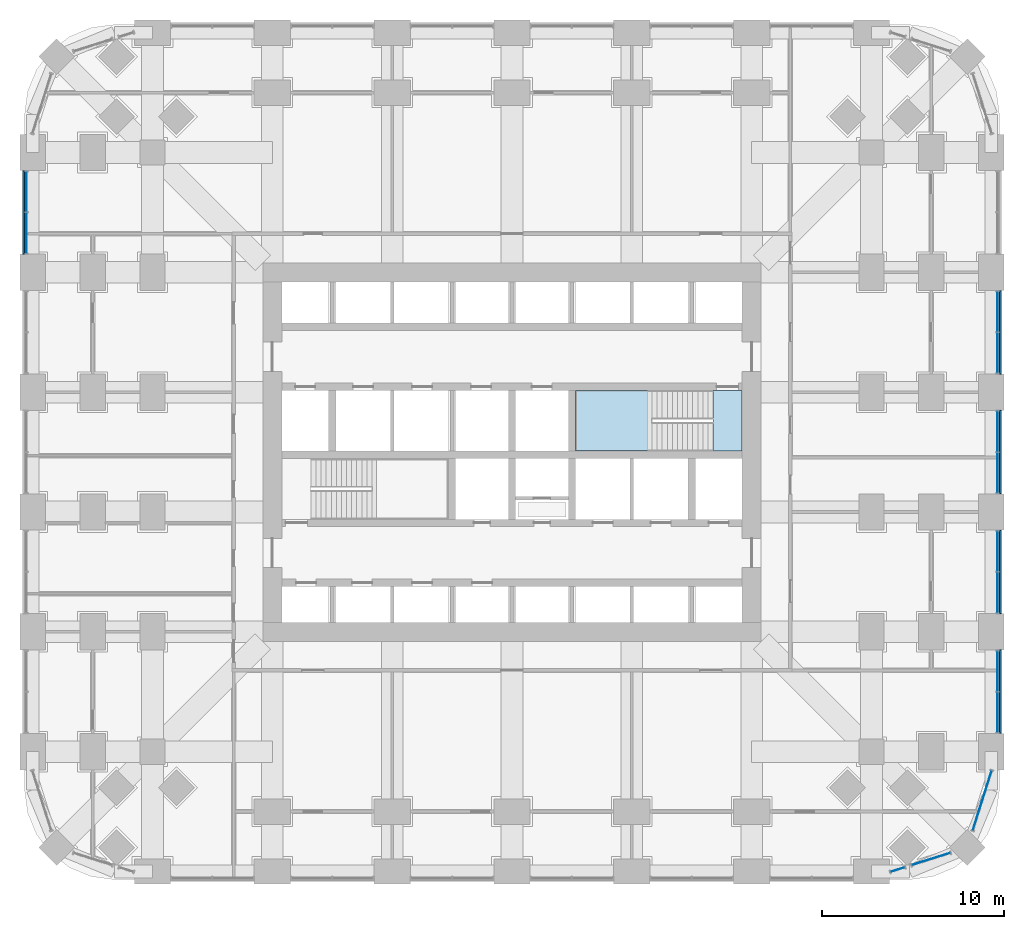
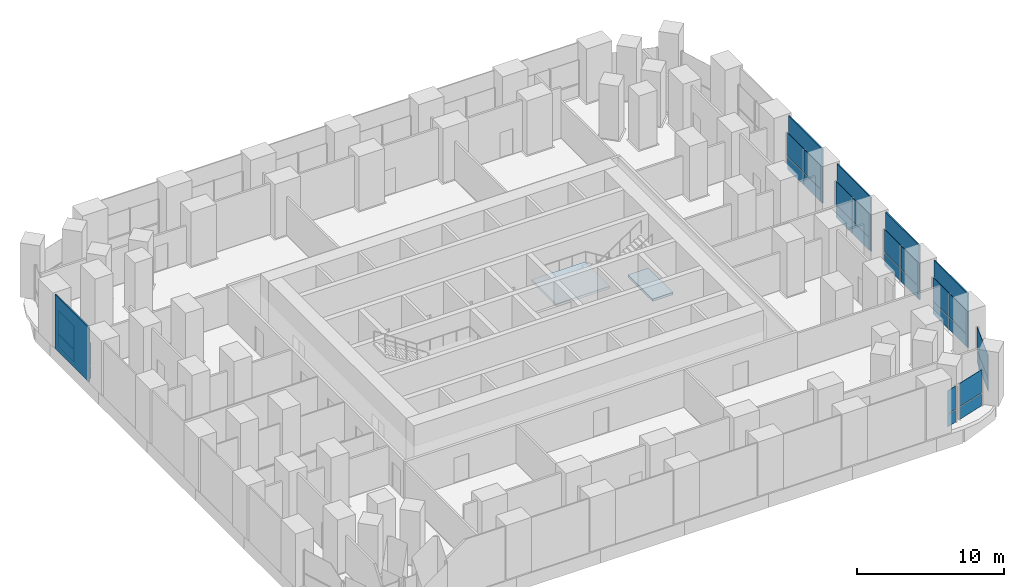
# One storey, part 9 of 17: 31 plates, 2 slabs, 9 elements without a shape of their own.
"""IFC4 building model written with IfcOpenShell, lengths in metres."""

from ifc_helpers import new_model, si_unit, direction, frame, origin, origin_2d, place, context, subcontext, project, spatial, polyline, rectangle, outline, extrude, material, layer, layer_set, type_object, element, aggregate, save


model = new_model("IFC4")

# Units and contexts
model_context = context("Model", 3, precision=1e-05, world=origin(), true_north=direction((0.0, 1.0)))
body_context = subcontext(model_context, "Body", "Model", "MODEL_VIEW")
ifc_project = project(units=[si_unit("LENGTHUNIT", "METRE"), si_unit("AREAUNIT", "SQUARE_METRE"), si_unit("VOLUMEUNIT", "CUBIC_METRE"), si_unit("PLANEANGLEUNIT", "RADIAN"), si_unit("MASSUNIT", "GRAM", prefix="KILO")], contexts=[model_context])

# Site, building, storey
site_placement = place(None, origin())
site = spatial("IfcSite", under=ifc_project, at=site_placement, CompositionType="ELEMENT")
building_placement = place(site_placement, origin())
building = spatial("IfcBuilding", under=site, at=building_placement, Name="Cobogo Forest Laboratory Tower", CompositionType="ELEMENT")
storey_placement = place(building_placement, frame((0.0, 0.0, 12.60009765625)))
storey = spatial("IfcBuildingStorey", under=building, at=storey_placement, Name="L02", CompositionType="ELEMENT", Elevation=12.60009765625)

# Plates
ifc_material_1 = material(Name="Pierced concrete block", Category="concrete")
ifc_layer_1 = layer(ifc_material_1, 0.10009765625)
ifc_layer_set_1 = layer_set([ifc_layer_1], Name="CO1 cobogo block screen 100")
plate_type_1 = type_object("IfcPlateType", Name="CO1 cobogo block screen 100", PredefinedType="USERDEFINED", material=ifc_layer_set_1)
for number, where, z_axis, x_axis, name in (
    (1, (53.300048828125, 9.89990234375, -0.150146484375), (0.0, 0.0, 1.0), (0.0, 1.0, 0.0), "Cobogo screen E1 L02"),
    (2, (53.300048828125, 16.5, -0.150146484375), (0.0, 0.0, 1.0), (0.0, 1.0, 0.0), "Cobogo screen E2 L02"),
    (3, (53.300048828125, 23.10009765625, -0.150146484375), (0.0, 0.0, 1.0), (0.0, 1.0, 0.0), "Cobogo screen E3 L02"),
    (4, (53.300048828125, 29.699951171875, -0.150146484375), (0.0, 0.0, 1.0), (0.0, 1.0, 0.0), "Cobogo screen E4 L02"),
    (5, (-0.5, 36.300048828125, -0.150146484375), (0.0, 0.0, 1.0), (0.0, 1.0, 0.0), "Cobogo screen W5 L02"),
):
    element("IfcPlate", number, at=place(storey_placement, frame(where, z_axis=z_axis, x_axis=x_axis)), inside=storey, type_object=plate_type_1, Name=name, ObjectType="COBOGO SCREEN", PredefinedType="USERDEFINED", context=body_context, shape_type="SweptSolid", body=[
        extrude(rectangle(XDim=4.60009765625, YDim=0.10009765625, at=origin_2d()), origin(), (0.0, 0.0, 1.0), 4.5),
    ])

# Curtain wall, plates
ifc_material_2 = material(Name="Aluminium curtain wall", Category="aluminium")
curtain_wall_type = type_object("IfcCurtainWallType", Name="CW-K stick curtain wall, podium laboratories", PredefinedType="USERDEFINED", material=ifc_material_2)
curtain_wall_1_placement = place(storey_placement, origin())
curtain_wall_1 = element("IfcCurtainWall", 6, at=curtain_wall_1_placement, inside=storey, type_object=curtain_wall_type, Name="Curtain wall 07 L02", ObjectType="STICK CURTAIN WALL", PredefinedType="USERDEFINED")
ifc_material_3 = material(Name="Clear insulated glass", Category="glass")
ifc_layer_2 = layer(ifc_material_3, 0.028076171875)
ifc_layer_set_2 = layer_set([ifc_layer_2], Name="GP-1 clear insulated glass unit 28")
plate_type_2 = type_object("IfcPlateType", Name="GP-1 clear insulated glass unit 28", PredefinedType="CURTAIN_PANEL", material=ifc_layer_set_2)
plate_1_placement = place(storey_placement, frame((47.640869140625, 0.10498046875, 0.0), z_axis=(0.0, 0.0, 1.0), x_axis=(0.953581406818, 0.301135352577, 0.0)))
plate_1 = element("IfcPlate", 7, at=plate_1_placement, type_object=plate_type_2, Name="CW-K panel 1.1", PredefinedType="CURTAIN_PANEL", context=body_context, shape_type="SweptSolid", body=[
    extrude(rectangle(XDim=0.804931640625, YDim=0.028076171875, at=origin_2d()), origin(), (0.0, 0.0, 1.0), 1.02001953125),
])
plate_2_placement = place(storey_placement, frame((47.640869140625, 0.10498046875, 1.079833984375), z_axis=(0.0, 0.0, 1.0), x_axis=(0.953581406818, 0.301135352577, 0.0)))
plate_2 = element("IfcPlate", 8, at=plate_2_placement, type_object=plate_type_2, Name="CW-K panel 1.2", PredefinedType="CURTAIN_PANEL", context=body_context, shape_type="SweptSolid", body=[
    extrude(rectangle(XDim=0.804931640625, YDim=0.028076171875, at=origin_2d()), origin(), (0.0, 0.0, 1.0), 1.919921875),
])
aggregate(curtain_wall_1, [plate_1, plate_2])

curtain_wall_2_placement = place(storey_placement, origin())
curtain_wall_2 = element("IfcCurtainWall", 9, at=curtain_wall_2_placement, inside=storey, type_object=curtain_wall_type, Name="Curtain wall 08 L02", ObjectType="STICK CURTAIN WALL", PredefinedType="USERDEFINED")
plate_3_placement = place(storey_placement, frame((49.482177734375, 0.6865234375, 0.0), z_axis=(0.0, 0.0, 1.0), x_axis=(0.953581409645, 0.301135343623, 0.0)))
plate_3 = element("IfcPlate", 10, at=plate_3_placement, type_object=plate_type_2, Name="CW-K panel 1.1", PredefinedType="CURTAIN_PANEL", context=body_context, shape_type="SweptSolid", body=[
    extrude(rectangle(XDim=2.203369140625, YDim=0.028076171875, at=origin_2d()), origin(), (0.0, 0.0, 1.0), 1.02001953125),
])
plate_4_placement = place(storey_placement, frame((49.482177734375, 0.6865234375, 1.079833984375), z_axis=(0.0, 0.0, 1.0), x_axis=(0.953581409645, 0.301135343623, 0.0)))
plate_4 = element("IfcPlate", 11, at=plate_4_placement, type_object=plate_type_2, Name="CW-K panel 1.2", PredefinedType="CURTAIN_PANEL", context=body_context, shape_type="SweptSolid", body=[
    extrude(rectangle(XDim=2.203369140625, YDim=0.028076171875, at=origin_2d()), origin(), (0.0, 0.0, 1.0), 1.919921875),
])
aggregate(curtain_wall_2, [plate_3, plate_4])

curtain_wall_3_placement = place(storey_placement, origin())
curtain_wall_3 = element("IfcCurtainWall", 12, at=curtain_wall_3_placement, inside=storey, type_object=curtain_wall_type, Name="Curtain wall 09 L02", ObjectType="STICK CURTAIN WALL", PredefinedType="USERDEFINED")
plate_5_placement = place(storey_placement, frame((52.299072265625, 3.905029296875, 0.0), z_axis=(0.0, 0.0, 1.0), x_axis=(0.301135433696, 0.953581381201, 0.0)))
plate_5 = element("IfcPlate", 13, at=plate_5_placement, type_object=plate_type_2, Name="CW-K panel 1.1", PredefinedType="CURTAIN_PANEL", context=body_context, shape_type="SweptSolid", body=[
    extrude(rectangle(XDim=3.434814453125, YDim=0.028076171875, at=origin_2d()), origin(), (0.0, 0.0, 1.0), 1.02001953125),
])
plate_6_placement = place(storey_placement, frame((52.299072265625, 3.905029296875, 1.079833984375), z_axis=(0.0, 0.0, 1.0), x_axis=(0.301135433696, 0.953581381201, 0.0)))
plate_6 = element("IfcPlate", 14, at=plate_6_placement, type_object=plate_type_2, Name="CW-K panel 1.2", PredefinedType="CURTAIN_PANEL", context=body_context, shape_type="SweptSolid", body=[
    extrude(rectangle(XDim=3.434814453125, YDim=0.028076171875, at=origin_2d()), origin(), (0.0, 0.0, 1.0), 1.919921875),
])
aggregate(curtain_wall_3, [plate_5, plate_6])

curtain_wall_4_placement = place(storey_placement, origin())
curtain_wall_4 = element("IfcCurtainWall", 15, at=curtain_wall_4_placement, inside=storey, type_object=curtain_wall_type, Name="Curtain wall 10 L02", ObjectType="STICK CURTAIN WALL", PredefinedType="USERDEFINED")
plate_7_placement = place(storey_placement, frame((53.14990234375, 8.764892578125, 0.0), z_axis=(0.0, 0.0, 1.0), x_axis=(0.0, 1.0, 0.0)))
plate_7 = element("IfcPlate", 16, at=plate_7_placement, type_object=plate_type_2, Name="CW-K panel 1.1", PredefinedType="CURTAIN_PANEL", context=body_context, shape_type="SweptSolid", body=[
    extrude(rectangle(XDim=2.2099609375, YDim=0.028076171875, at=origin_2d()), origin(), (0.0, 0.0, 1.0), 1.02001953125),
])
plate_8_placement = place(storey_placement, frame((53.14990234375, 8.764892578125, 1.079833984375), z_axis=(0.0, 0.0, 1.0), x_axis=(0.0, 1.0, 0.0)))
plate_8 = element("IfcPlate", 17, at=plate_8_placement, type_object=plate_type_2, Name="CW-K panel 1.2", PredefinedType="CURTAIN_PANEL", context=body_context, shape_type="SweptSolid", body=[
    extrude(rectangle(XDim=2.2099609375, YDim=0.028076171875, at=origin_2d()), origin(), (0.0, 0.0, 1.0), 1.919921875),
])
plate_9_placement = place(storey_placement, frame((53.14990234375, 11.034912109375, 0.0), z_axis=(0.0, 0.0, 1.0), x_axis=(0.0, 1.0, 0.0)))
plate_9 = element("IfcPlate", 18, at=plate_9_placement, type_object=plate_type_2, Name="CW-K panel 2.1", PredefinedType="CURTAIN_PANEL", context=body_context, shape_type="SweptSolid", body=[
    extrude(rectangle(XDim=2.2099609375, YDim=0.028076171875, at=origin_2d()), origin(), (0.0, 0.0, 1.0), 1.02001953125),
])
plate_10_placement = place(storey_placement, frame((53.14990234375, 11.034912109375, 1.079833984375), z_axis=(0.0, 0.0, 1.0), x_axis=(0.0, 1.0, 0.0)))
plate_10 = element("IfcPlate", 19, at=plate_10_placement, type_object=plate_type_2, Name="CW-K panel 2.2", PredefinedType="CURTAIN_PANEL", context=body_context, shape_type="SweptSolid", body=[
    extrude(rectangle(XDim=2.2099609375, YDim=0.028076171875, at=origin_2d()), origin(), (0.0, 0.0, 1.0), 1.919921875),
])
aggregate(curtain_wall_4, [plate_7, plate_8, plate_9, plate_10])

curtain_wall_5_placement = place(storey_placement, origin())
curtain_wall_5 = element("IfcCurtainWall", 20, at=curtain_wall_5_placement, inside=storey, type_object=curtain_wall_type, Name="Curtain wall 11 L02", ObjectType="STICK CURTAIN WALL", PredefinedType="USERDEFINED")
plate_11_placement = place(storey_placement, frame((53.14990234375, 15.364990234375, 0.0), z_axis=(0.0, 0.0, 1.0), x_axis=(0.0, 1.0, 0.0)))
plate_11 = element("IfcPlate", 21, at=plate_11_placement, type_object=plate_type_2, Name="CW-K panel 1.1", PredefinedType="CURTAIN_PANEL", context=body_context, shape_type="SweptSolid", body=[
    extrude(rectangle(XDim=2.2099609375, YDim=0.028076171875, at=origin_2d()), origin(), (0.0, 0.0, 1.0), 1.02001953125),
])
plate_12_placement = place(storey_placement, frame((53.14990234375, 15.364990234375, 1.079833984375), z_axis=(0.0, 0.0, 1.0), x_axis=(0.0, 1.0, 0.0)))
plate_12 = element("IfcPlate", 22, at=plate_12_placement, type_object=plate_type_2, Name="CW-K panel 1.2", PredefinedType="CURTAIN_PANEL", context=body_context, shape_type="SweptSolid", body=[
    extrude(rectangle(XDim=2.2099609375, YDim=0.028076171875, at=origin_2d()), origin(), (0.0, 0.0, 1.0), 1.919921875),
])
plate_13_placement = place(storey_placement, frame((53.14990234375, 17.635009765625, 0.0), z_axis=(0.0, 0.0, 1.0), x_axis=(0.0, 1.0, 0.0)))
plate_13 = element("IfcPlate", 23, at=plate_13_placement, type_object=plate_type_2, Name="CW-K panel 2.1", PredefinedType="CURTAIN_PANEL", context=body_context, shape_type="SweptSolid", body=[
    extrude(rectangle(XDim=2.2099609375, YDim=0.028076171875, at=origin_2d()), origin(), (0.0, 0.0, 1.0), 1.02001953125),
])
plate_14_placement = place(storey_placement, frame((53.14990234375, 17.635009765625, 1.079833984375), z_axis=(0.0, 0.0, 1.0), x_axis=(0.0, 1.0, 0.0)))
plate_14 = element("IfcPlate", 24, at=plate_14_placement, type_object=plate_type_2, Name="CW-K panel 2.2", PredefinedType="CURTAIN_PANEL", context=body_context, shape_type="SweptSolid", body=[
    extrude(rectangle(XDim=2.2099609375, YDim=0.028076171875, at=origin_2d()), origin(), (0.0, 0.0, 1.0), 1.919921875),
])
aggregate(curtain_wall_5, [plate_11, plate_12, plate_13, plate_14])

curtain_wall_6_placement = place(storey_placement, origin())
curtain_wall_6 = element("IfcCurtainWall", 25, at=curtain_wall_6_placement, inside=storey, type_object=curtain_wall_type, Name="Curtain wall 12 L02", ObjectType="STICK CURTAIN WALL", PredefinedType="USERDEFINED")
plate_15_placement = place(storey_placement, frame((53.14990234375, 21.965087890625, 0.0), z_axis=(0.0, 0.0, 1.0), x_axis=(0.0, 1.0, 0.0)))
plate_15 = element("IfcPlate", 26, at=plate_15_placement, type_object=plate_type_2, Name="CW-K panel 1.1", PredefinedType="CURTAIN_PANEL", context=body_context, shape_type="SweptSolid", body=[
    extrude(rectangle(XDim=2.2099609375, YDim=0.028076171875, at=origin_2d()), origin(), (0.0, 0.0, 1.0), 1.02001953125),
])
plate_16_placement = place(storey_placement, frame((53.14990234375, 21.965087890625, 1.079833984375), z_axis=(0.0, 0.0, 1.0), x_axis=(0.0, 1.0, 0.0)))
plate_16 = element("IfcPlate", 27, at=plate_16_placement, type_object=plate_type_2, Name="CW-K panel 1.2", PredefinedType="CURTAIN_PANEL", context=body_context, shape_type="SweptSolid", body=[
    extrude(rectangle(XDim=2.2099609375, YDim=0.028076171875, at=origin_2d()), origin(), (0.0, 0.0, 1.0), 1.919921875),
])
plate_17_placement = place(storey_placement, frame((53.14990234375, 24.235107421875, 0.0), z_axis=(0.0, 0.0, 1.0), x_axis=(0.0, 1.0, 0.0)))
plate_17 = element("IfcPlate", 28, at=plate_17_placement, type_object=plate_type_2, Name="CW-K panel 2.1", PredefinedType="CURTAIN_PANEL", context=body_context, shape_type="SweptSolid", body=[
    extrude(rectangle(XDim=2.2099609375, YDim=0.028076171875, at=origin_2d()), origin(), (0.0, 0.0, 1.0), 1.02001953125),
])
plate_18_placement = place(storey_placement, frame((53.14990234375, 24.235107421875, 1.079833984375), z_axis=(0.0, 0.0, 1.0), x_axis=(0.0, 1.0, 0.0)))
plate_18 = element("IfcPlate", 29, at=plate_18_placement, type_object=plate_type_2, Name="CW-K panel 2.2", PredefinedType="CURTAIN_PANEL", context=body_context, shape_type="SweptSolid", body=[
    extrude(rectangle(XDim=2.2099609375, YDim=0.028076171875, at=origin_2d()), origin(), (0.0, 0.0, 1.0), 1.919921875),
])
aggregate(curtain_wall_6, [plate_15, plate_16, plate_17, plate_18])

curtain_wall_7_placement = place(storey_placement, origin())
curtain_wall_7 = element("IfcCurtainWall", 30, at=curtain_wall_7_placement, inside=storey, type_object=curtain_wall_type, Name="Curtain wall 13 L02", ObjectType="STICK CURTAIN WALL", PredefinedType="USERDEFINED")
plate_19_placement = place(storey_placement, frame((53.14990234375, 28.56494140625, 0.0), z_axis=(0.0, 0.0, 1.0), x_axis=(0.0, 1.0, 0.0)))
plate_19 = element("IfcPlate", 31, at=plate_19_placement, type_object=plate_type_2, Name="CW-K panel 1.1", PredefinedType="CURTAIN_PANEL", context=body_context, shape_type="SweptSolid", body=[
    extrude(rectangle(XDim=2.2099609375, YDim=0.028076171875, at=origin_2d()), origin(), (0.0, 0.0, 1.0), 1.02001953125),
])
plate_20_placement = place(storey_placement, frame((53.14990234375, 28.56494140625, 1.079833984375), z_axis=(0.0, 0.0, 1.0), x_axis=(0.0, 1.0, 0.0)))
plate_20 = element("IfcPlate", 32, at=plate_20_placement, type_object=plate_type_2, Name="CW-K panel 1.2", PredefinedType="CURTAIN_PANEL", context=body_context, shape_type="SweptSolid", body=[
    extrude(rectangle(XDim=2.2099609375, YDim=0.028076171875, at=origin_2d()), origin(), (0.0, 0.0, 1.0), 1.919921875),
])
plate_21_placement = place(storey_placement, frame((53.14990234375, 30.8349609375, 0.0), z_axis=(0.0, 0.0, 1.0), x_axis=(0.0, 1.0, 0.0)))
plate_21 = element("IfcPlate", 33, at=plate_21_placement, type_object=plate_type_2, Name="CW-K panel 2.1", PredefinedType="CURTAIN_PANEL", context=body_context, shape_type="SweptSolid", body=[
    extrude(rectangle(XDim=2.2099609375, YDim=0.028076171875, at=origin_2d()), origin(), (0.0, 0.0, 1.0), 1.02001953125),
])
plate_22_placement = place(storey_placement, frame((53.14990234375, 30.8349609375, 1.079833984375), z_axis=(0.0, 0.0, 1.0), x_axis=(0.0, 1.0, 0.0)))
plate_22 = element("IfcPlate", 34, at=plate_22_placement, type_object=plate_type_2, Name="CW-K panel 2.2", PredefinedType="CURTAIN_PANEL", context=body_context, shape_type="SweptSolid", body=[
    extrude(rectangle(XDim=2.2099609375, YDim=0.028076171875, at=origin_2d()), origin(), (0.0, 0.0, 1.0), 1.919921875),
])
aggregate(curtain_wall_7, [plate_19, plate_20, plate_21, plate_22])

curtain_wall_8_placement = place(storey_placement, origin())
curtain_wall_8 = element("IfcCurtainWall", 35, at=curtain_wall_8_placement, inside=storey, type_object=curtain_wall_type, Name="Curtain wall 27 L02", ObjectType="STICK CURTAIN WALL", PredefinedType="USERDEFINED")
plate_23_placement = place(storey_placement, frame((-0.35009765625, 37.43505859375, 0.0), z_axis=(0.0, 0.0, 1.0), x_axis=(0.0, -1.0, 0.0)))
plate_23 = element("IfcPlate", 36, at=plate_23_placement, type_object=plate_type_2, Name="CW-K panel 1.1", PredefinedType="CURTAIN_PANEL", context=body_context, shape_type="SweptSolid", body=[
    extrude(rectangle(XDim=2.2099609375, YDim=0.028076171875, at=origin_2d()), origin(), (0.0, 0.0, 1.0), 1.02001953125),
])
plate_24_placement = place(storey_placement, frame((-0.35009765625, 37.43505859375, 1.079833984375), z_axis=(0.0, 0.0, 1.0), x_axis=(0.0, -1.0, 0.0)))
plate_24 = element("IfcPlate", 37, at=plate_24_placement, type_object=plate_type_2, Name="CW-K panel 1.2", PredefinedType="CURTAIN_PANEL", context=body_context, shape_type="SweptSolid", body=[
    extrude(rectangle(XDim=2.2099609375, YDim=0.028076171875, at=origin_2d()), origin(), (0.0, 0.0, 1.0), 1.919921875),
])
plate_25_placement = place(storey_placement, frame((-0.35009765625, 35.1650390625, 0.0), z_axis=(0.0, 0.0, 1.0), x_axis=(0.0, -1.0, 0.0)))
plate_25 = element("IfcPlate", 38, at=plate_25_placement, type_object=plate_type_2, Name="CW-K panel 2.1", PredefinedType="CURTAIN_PANEL", context=body_context, shape_type="SweptSolid", body=[
    extrude(rectangle(XDim=2.2099609375, YDim=0.028076171875, at=origin_2d()), origin(), (0.0, 0.0, 1.0), 1.02001953125),
])
plate_26_placement = place(storey_placement, frame((-0.35009765625, 35.1650390625, 1.079833984375), z_axis=(0.0, 0.0, 1.0), x_axis=(0.0, -1.0, 0.0)))
plate_26 = element("IfcPlate", 39, at=plate_26_placement, type_object=plate_type_2, Name="CW-K panel 2.2", PredefinedType="CURTAIN_PANEL", context=body_context, shape_type="SweptSolid", body=[
    extrude(rectangle(XDim=2.2099609375, YDim=0.028076171875, at=origin_2d()), origin(), (0.0, 0.0, 1.0), 1.919921875),
])
aggregate(curtain_wall_8, [plate_23, plate_24, plate_25, plate_26])

# Stair, slabs
ifc_material_4 = material(Name="Precast concrete HA-40 (C40/50)", Category="concrete")
stair_type = type_object("IfcStairType", Name="ST26 exit stair 26 risers", PredefinedType="HALF_TURN_STAIR", material=ifc_material_4)
stair_placement = place(storey_placement, origin())
stair = element("IfcStair", 40, at=stair_placement, inside=storey, type_object=stair_type, Name="Stair 2 L02 to L03", PredefinedType="HALF_TURN_STAIR")
ifc_material_5 = material(Name="Concrete HA-40 (C40/50)", Category="concrete")
ifc_layer_3 = layer(ifc_material_5, 0.199951171875)
ifc_layer_set_3 = layer_set([ifc_layer_3], Name="SL stair landing 200")
slab_type = type_object("IfcSlabType", Name="SL stair landing 200", PredefinedType="LANDING", material=ifc_layer_set_3)
slab_1_placement = place(storey_placement, frame((0.0, 0.0, -0.2001953125)))
slab_1 = element("IfcSlab", 41, at=slab_1_placement, type_object=slab_type, Name="ST2 landing 1", PredefinedType="LANDING", context=body_context, shape_type="SweptSolid", body=[
    extrude(outline(polyline([(37.472900390625, 23.14990234375), (39.074951171875, 23.14990234375), (39.074951171875, 26.5), (37.472900390625, 26.5), (37.472900390625, 23.14990234375)])), origin(), (0.0, 0.0, 1.0), 0.2001953125),
])
slab_2_placement = place(storey_placement, frame((0.0, 0.0, 2.0498046875)))
slab_2 = element("IfcSlab", 42, at=slab_2_placement, type_object=slab_type, Name="ST2 landing 2", PredefinedType="LANDING", context=body_context, shape_type="SweptSolid", body=[
    extrude(outline(polyline([(29.89990234375, 23.14990234375), (34.116943359375, 23.14990234375), (34.116943359375, 26.5), (29.89990234375, 26.5), (29.89990234375, 23.14990234375)])), origin(), (0.0, 0.0, 1.0), 0.2001953125),
])
aggregate(stair, [slab_1, slab_2])

save(model, "model.ifc")
